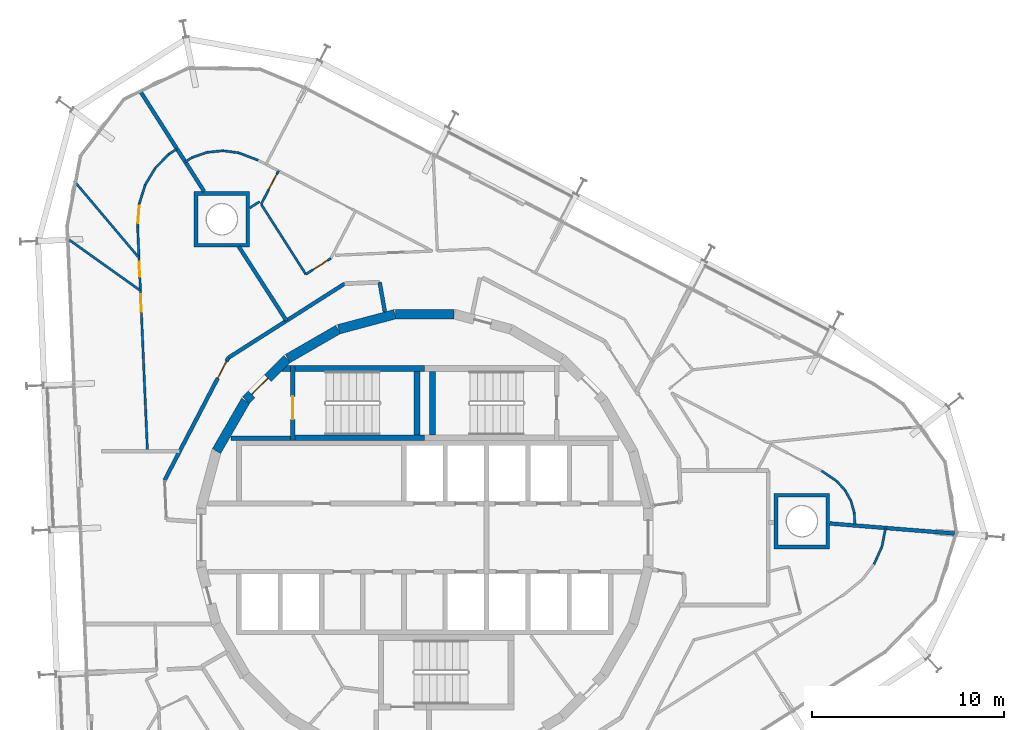
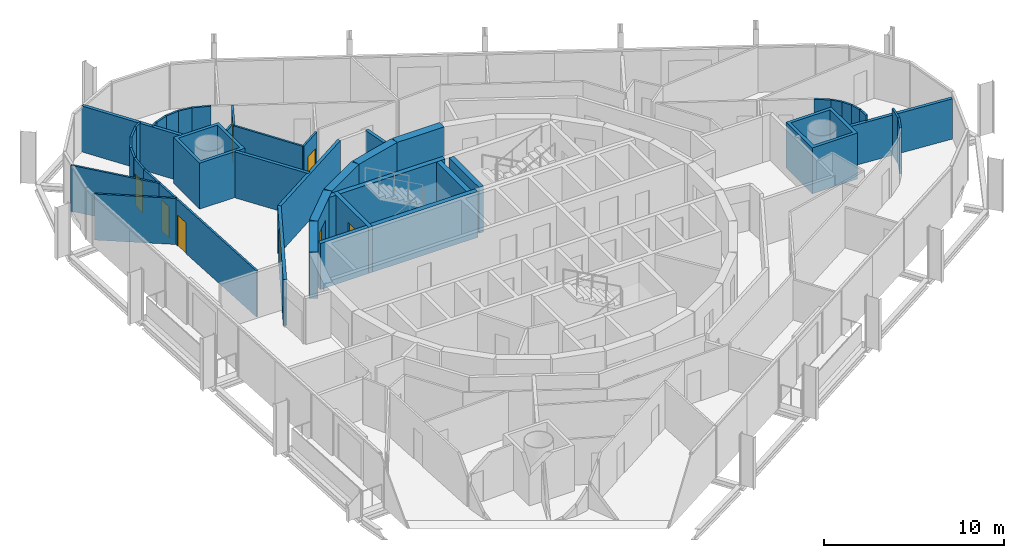
# One storey, part 15 of 18: 44 walls, 8 doors, 8 openings.
"""IFC4 building model written with IfcOpenShell, lengths in metres."""

from ifc_helpers import new_model, si_unit, direction, frame, frame_2d, origin, place, context, subcontext, project, spatial, polyline, rectangle, outline, extrude, material, layer, layer_set, type_object, element, fill, save


model = new_model("IFC4")

# Units and contexts
model_context = context("Model", 3, precision=1e-05, world=origin(), true_north=direction((0.0, 1.0)))
body_context = subcontext(model_context, "Body", "Model", "MODEL_VIEW")
ifc_project = project(units=[si_unit("LENGTHUNIT", "METRE"), si_unit("AREAUNIT", "SQUARE_METRE"), si_unit("VOLUMEUNIT", "CUBIC_METRE"), si_unit("PLANEANGLEUNIT", "RADIAN"), si_unit("MASSUNIT", "GRAM", prefix="KILO")], contexts=[model_context])

# Site, building, storey
site_placement = place(None, origin())
site = spatial("IfcSite", under=ifc_project, at=site_placement, CompositionType="ELEMENT")
building_placement = place(site_placement, origin())
building = spatial("IfcBuilding", under=site, at=building_placement, Name="Spindle Arch Residences", CompositionType="ELEMENT")
storey_placement = place(building_placement, frame((0.0, 0.0, 251.199951171875)))
storey = spatial("IfcBuildingStorey", under=building, at=storey_placement, Name="L64", CompositionType="ELEMENT", Elevation=251.199951171875)

# Walls
ifc_material_1 = material(Name="Concrete C50/60", Category="concrete")
ifc_layer_1 = layer(ifc_material_1, 0.5)
ifc_layer_set_1 = layer_set([ifc_layer_1], Name="Core outline wall 500")
wall_type_1 = type_object("IfcWallType", Name="Core outline wall 500", PredefinedType="SHEAR", material=ifc_layer_set_1)
for number, where, z_axis, x_axis, name in (
    (1, (1.516357421875, 11.647216796875, 0.0), (0.0, 0.0, 1.0), (-1.0, 0.0, 0.0), "Core outline wall 12"),
    (2, (-1.5498046875, 11.642822265625, 0.0), (0.0, 0.0, 1.0), (-0.965948410781, -0.258734743916, 0.0), "Core outline wall 13"),
    (3, (-4.510498046875, 10.84521484375, 0.0), (0.0, 0.0, 1.0), (-0.865975092491, -0.500087131594, 0.0), "Core outline wall 14"),
):
    element("IfcWall", number, at=place(storey_placement, frame(where, z_axis=z_axis, x_axis=x_axis)), inside=storey, type_object=wall_type_1, Name=name, PredefinedType="SHEAR", context=body_context, shape_type="SweptSolid", body=[
        extrude(rectangle(XDim=3.03271484375, YDim=0.5, at=frame_2d((1.516357421875, 0.0))), origin(), (0.0, 0.0, 1.0), 3.1201171875),
    ])

# Wall, opening, door
wall_1_placement = place(storey_placement, frame((-7.163818359375, 9.30810546875, 0.0), z_axis=(0.0, 0.0, 1.0), x_axis=(-0.707106781187, -0.707106781187, 0.0)))
wall_1 = element("IfcWall", 4, at=wall_1_placement, inside=storey, type_object=wall_type_1, Name="Core outline wall 15", PredefinedType="SHEAR", context=body_context, shape_type="SweptSolid", body=[
    extrude(rectangle(XDim=3.032470703125, YDim=0.5, at=frame_2d((1.51611328125, 0.0))), origin(), (0.0, 0.0, 1.0), 3.1201171875),
])
opening_1_placement = place(wall_1_placement, frame((1.416259765625, 0.0, 0.0)))
opening_1 = element("IfcOpeningElement", 5, at=opening_1_placement, cuts=wall_1, Name="Opening R6C1-AD02", PredefinedType="OPENING", context=body_context, shape_type="SweptSolid", body=[
    extrude(rectangle(XDim=1.199951171875, YDim=2.10009765625, at=frame_2d((0.60009765625, 1.050048828125))), frame((0.0, 0.260009765625, 0.0), z_axis=(0.0, -1.0, 0.0), x_axis=(1.0, 0.0, 0.0)), (0.0, 0.0, 1.0), 0.52001953125),
])
ifc_material_2 = material(Name="Steel, fire-resisting door", Category="steel")
door_type_1 = type_object("IfcDoorType", Name="Stair airlock door 1200x2100", OperationType="SINGLE_SWING_LEFT", PredefinedType="DOOR", material=ifc_material_2)
door_1_placement = place(opening_1_placement, origin())
door_1 = element("IfcDoor", 6, at=door_1_placement, inside=storey, type_object=door_type_1, Name="Stair airlock door R6C1-AD02", OperationType="SINGLE_SWING_RIGHT", OverallHeight=2.10009765625, OverallWidth=1.199951171875, PredefinedType="DOOR", context=body_context, shape_type="SweptSolid", body=[
    extrude(rectangle(XDim=1.199951171875, YDim=2.10009765625, at=frame_2d((0.60009765625, 1.050048828125))), frame((0.0, 0.02490234375, 0.0), z_axis=(0.0, -1.0, 0.0), x_axis=(1.0, 0.0, 0.0)), (0.0, 0.0, 1.0), 0.050048828125),
])
fill(opening_1, door_1)

# Walls
wall_2_placement = place(storey_placement, frame((-9.32861328125, 7.13671875, 0.0), z_axis=(0.0, 0.0, 1.0), x_axis=(-0.500087131594, -0.865975092491, 0.0)))
element("IfcWall", 7, at=wall_2_placement, inside=storey, type_object=wall_type_1, Name="Core outline wall 16", PredefinedType="SHEAR", context=body_context, shape_type="SweptSolid", body=[
    extrude(rectangle(XDim=3.03271484375, YDim=0.5, at=frame_2d((1.516357421875, 0.0))), origin(), (0.0, 0.0, 1.0), 3.1201171875),
])
ifc_material_3 = material(Name="Calcium silicate block, plastered")
ifc_layer_2 = layer(ifc_material_3, 0.199951171875)
ifc_layer_set_2 = layer_set([ifc_layer_2], Name="Corridor wall 200")
wall_type_2 = type_object("IfcWallType", Name="Corridor wall 200", PredefinedType="STANDARD", material=ifc_layer_set_2)
wall_3_placement = place(storey_placement, frame((-2.07373046875, 11.76123046875, 0.0), z_axis=(0.0, 0.0, 1.0), x_axis=(-0.173679082312, 0.984802303189, 0.0)))
element("IfcWall", 8, at=wall_3_placement, inside=storey, type_object=wall_type_2, Name="Corridor wall R6C1-W010", PredefinedType="STANDARD", context=body_context, shape_type="SweptSolid", body=[
    extrude(rectangle(XDim=1.572998046875, YDim=0.199951171875, at=frame_2d((0.78662109375, 0.0))), origin(), (0.0, 0.0, 1.0), 3.1201171875),
])
wall_4_placement = place(storey_placement, frame((-4.171630859375, 13.230712890625, 0.0), z_axis=(0.0, 0.0, 1.0), x_axis=(-0.843388394728, -0.537304397561, 0.0)))
element("IfcWall", 9, at=wall_4_placement, inside=storey, type_object=wall_type_2, Name="Corridor wall R6C1-W012", PredefinedType="STANDARD", context=body_context, shape_type="SweptSolid", body=[
    extrude(rectangle(XDim=7.180908203125, YDim=0.199951171875, at=frame_2d((3.59033203125, 0.0))), origin(), (0.0, 0.0, 1.0), 3.1201171875),
])
ifc_material_4 = material(Name="Plasterboard on steel studs", Category="steel")
ifc_layer_3 = layer(ifc_material_4, 0.1201171875)
ifc_layer_set_3 = layer_set([ifc_layer_3], Name="Flat partition 120")
wall_type_3 = type_object("IfcWallType", Name="Flat partition 120", PredefinedType="PARTITIONING", material=ifc_layer_set_3)
wall_5_placement = place(storey_placement, frame((20.67431640625, 3.4814453125, 0.0), z_axis=(0.0, 0.0, 1.0), x_axis=(0.827420148173, -0.56158338508, 0.0)))
element("IfcWall", 10, at=wall_5_placement, inside=storey, type_object=wall_type_3, Name="Flat partition R6C1-W047", PredefinedType="PARTITIONING", context=body_context, shape_type="SweptSolid", body=[
    extrude(rectangle(XDim=0.94677734375, YDim=0.1201171875, at=frame_2d((0.473388671875, 0.0))), origin(), (0.0, 0.0, 1.0), 3.1201171875),
])
for number, where, z_axis, x_axis, name in (
    (11, (21.457763671875, 2.94970703125, 0.0), (0.0, 0.0, 1.0), (0.675621263191, -0.737248878415, 0.0), "Flat partition R6C1-W048"),
    (12, (21.891357421875, 2.4765625, 0.0), (0.0, 0.0, 1.0), (0.487224522605, -0.87327673997, 0.0), "Flat partition R6C1-W049"),
):
    element("IfcWall", number, at=place(storey_placement, frame(where, z_axis=z_axis, x_axis=x_axis)), inside=storey, type_object=wall_type_3, Name=name, PredefinedType="PARTITIONING", context=body_context, shape_type="SweptSolid", body=[
        extrude(rectangle(XDim=0.641845703125, YDim=0.1201171875, at=frame_2d((0.32080078125, 0.0))), origin(), (0.0, 0.0, 1.0), 3.1201171875),
    ])
wall_6_placement = place(storey_placement, frame((22.2041015625, 1.916015625, 0.0), z_axis=(0.0, 0.0, 1.0), x_axis=(0.273013196411, -0.962010288191, 0.0)))
element("IfcWall", 13, at=wall_6_placement, inside=storey, type_object=wall_type_3, Name="Flat partition R6C1-W050", PredefinedType="PARTITIONING", context=body_context, shape_type="SweptSolid", body=[
    extrude(rectangle(XDim=0.64208984375, YDim=0.1201171875, at=frame_2d((0.321044921875, 0.0))), origin(), (0.0, 0.0, 1.0), 3.1201171875),
])
wall_7_placement = place(storey_placement, frame((22.37939453125, 1.29833984375, 0.0), z_axis=(0.0, 0.0, 1.0), x_axis=(0.043354705242, -0.999059742725, 0.0)))
element("IfcWall", 14, at=wall_7_placement, inside=storey, type_object=wall_type_3, Name="Flat partition R6C1-W051", PredefinedType="PARTITIONING", context=body_context, shape_type="SweptSolid", body=[
    extrude(rectangle(XDim=0.641845703125, YDim=0.1201171875, at=frame_2d((0.32080078125, 0.0))), origin(), (0.0, 0.0, 1.0), 3.1201171875),
])

# Wall, opening, door
wall_8_placement = place(storey_placement, frame((-4.88818359375, 14.552734375, 0.0), z_axis=(0.0, 0.0, 1.0), x_axis=(-0.843349608892, -0.537365273517, 0.0)))
wall_8 = element("IfcWall", 15, at=wall_8_placement, inside=storey, type_object=wall_type_3, Name="Flat partition R6C1-W060", PredefinedType="PARTITIONING", context=body_context, shape_type="SweptSolid", body=[
    extrude(rectangle(XDim=1.5478515625, YDim=0.1201171875, at=frame_2d((0.77392578125, 0.0))), origin(), (0.0, 0.0, 1.0), 3.1201171875),
])
opening_2_placement = place(wall_8_placement, frame((0.199951171875, 0.0, 0.0)))
opening_2 = element("IfcOpeningElement", 16, at=opening_2_placement, cuts=wall_8, Name="Opening R6C1-ID08", PredefinedType="OPENING", context=body_context, shape_type="SweptSolid", body=[
    extrude(rectangle(XDim=0.89990234375, YDim=2.10009765625, at=frame_2d((0.449951171875, 1.050048828125))), frame((0.0, 0.070068359375, 0.0), z_axis=(0.0, -1.0, 0.0), x_axis=(1.0, 0.0, 0.0)), (0.0, 0.0, 1.0), 0.14013671875),
])
ifc_material_5 = material(Name="Timber door set", Category="wood")
door_type_2 = type_object("IfcDoorType", Name="Room door 900x2100", OperationType="NOTDEFINED", PredefinedType="DOOR", material=ifc_material_5)
door_2_placement = place(opening_2_placement, origin())
door_2 = element("IfcDoor", 17, at=door_2_placement, inside=storey, type_object=door_type_2, Name="Room door R6C1-ID08", OperationType="SINGLE_SWING_RIGHT", OverallHeight=2.10009765625, OverallWidth=0.89990234375, PredefinedType="DOOR", context=body_context, shape_type="SweptSolid", body=[
    extrude(rectangle(XDim=0.89990234375, YDim=2.10009765625, at=frame_2d((0.449951171875, 1.050048828125))), frame((0.0, 0.02490234375, 0.0), z_axis=(0.0, -1.0, 0.0), x_axis=(1.0, 0.0, 0.0)), (0.0, 0.0, 1.0), 0.050048828125),
])
fill(opening_2, door_2)

# Walls
wall_9_placement = place(storey_placement, frame((-6.193603515625, 13.720947265625, 0.0), z_axis=(0.0, 0.0, 1.0), x_axis=(-0.537316807294, 0.843380488629, 0.0)))
element("IfcWall", 18, at=wall_9_placement, inside=storey, type_object=wall_type_3, Name="Flat partition R6C1-W061", PredefinedType="PARTITIONING", context=body_context, shape_type="SweptSolid", body=[
    extrude(rectangle(XDim=4.33056640625, YDim=0.1201171875, at=frame_2d((2.165283203125, 0.0))), origin(), (0.0, 0.0, 1.0), 3.1201171875),
])
wall_10_placement = place(storey_placement, frame((-8.603515625, 17.50390625, 0.0), z_axis=(0.0, 0.0, 1.0), x_axis=(-0.843265746233, -0.537496866251, 0.0)))
element("IfcWall", 19, at=wall_10_placement, inside=storey, type_object=wall_type_3, Name="Flat partition R6C1-W062", PredefinedType="PARTITIONING", context=body_context, shape_type="SweptSolid", body=[
    extrude(rectangle(XDim=0.610107421875, YDim=0.1201171875, at=frame_2d((0.30517578125, 0.0))), origin(), (0.0, 0.0, 1.0), 3.1201171875),
])

# Wall, opening, door
wall_11_placement = place(storey_placement, frame((-7.6162109375, 19.1103515625, 0.0), z_axis=(0.0, 0.0, 1.0), x_axis=(-0.461764840073, -0.887002385832, 0.0)))
wall_11 = element("IfcWall", 20, at=wall_11_placement, inside=storey, type_object=wall_type_3, Name="Flat partition R6C1-W068", PredefinedType="PARTITIONING", context=body_context, shape_type="SweptSolid", body=[
    extrude(rectangle(XDim=1.958251953125, YDim=0.1201171875, at=frame_2d((0.97900390625, 0.0))), origin(), (0.0, 0.0, 1.0), 3.1201171875),
])
opening_3_placement = place(wall_11_placement, frame((0.199951171875, 0.0, 0.0)))
opening_3 = element("IfcOpeningElement", 21, at=opening_3_placement, cuts=wall_11, Name="Opening R6C1-ID11", PredefinedType="OPENING", context=body_context, shape_type="SweptSolid", body=[
    extrude(rectangle(XDim=0.89990234375, YDim=2.10009765625, at=frame_2d((0.449951171875, 1.050048828125))), frame((0.0, 0.070068359375, 0.0), z_axis=(0.0, -1.0, 0.0), x_axis=(1.0, 0.0, 0.0)), (0.0, 0.0, 1.0), 0.14013671875),
])
door_3_placement = place(opening_3_placement, origin())
door_3 = element("IfcDoor", 22, at=door_3_placement, inside=storey, type_object=door_type_2, Name="Room door R6C1-ID11", OperationType="SINGLE_SWING_RIGHT", OverallHeight=2.10009765625, OverallWidth=0.89990234375, PredefinedType="DOOR", context=body_context, shape_type="SweptSolid", body=[
    extrude(rectangle(XDim=0.89990234375, YDim=2.10009765625, at=frame_2d((0.449951171875, 1.050048828125))), frame((0.0, 0.02490234375, 0.0), z_axis=(0.0, -1.0, 0.0), x_axis=(1.0, 0.0, 0.0)), (0.0, 0.0, 1.0), 0.050048828125),
])
fill(opening_3, door_3)

# Walls
wall_12_placement = place(storey_placement, frame((-12.47314453125, 19.5791015625, 0.0), z_axis=(0.0, 0.0, 1.0), x_axis=(0.843467404643, 0.537180358264, 0.0)))
element("IfcWall", 23, at=wall_12_placement, inside=storey, type_object=wall_type_3, Name="Flat partition R6C1-W069", PredefinedType="PARTITIONING", context=body_context, shape_type="SweptSolid", body=[
    extrude(rectangle(XDim=0.41455078125, YDim=0.1201171875, at=frame_2d((0.207275390625, 0.0))), origin(), (0.0, 0.0, 1.0), 3.1201171875),
])
for number, where, z_axis, x_axis, name in (
    (24, (-12.12353515625, 19.8017578125, 0.0), (0.0, 0.0, 1.0), (0.944540495207, 0.328394964813, 0.0), "Flat partition R6C1-W070"),
    (25, (-11.340576171875, 20.073974609375, 0.0), (0.0, 0.0, 1.0), (0.994821992483, 0.101632688009, 0.0), "Flat partition R6C1-W071"),
    (26, (-10.51611328125, 20.158203125, 0.0), (0.0, 0.0, 1.0), (0.991412138518, -0.130774506685, 0.0), "Flat partition R6C1-W072"),
):
    element("IfcWall", number, at=place(storey_placement, frame(where, z_axis=z_axis, x_axis=x_axis)), inside=storey, type_object=wall_type_3, Name=name, PredefinedType="PARTITIONING", context=body_context, shape_type="SweptSolid", body=[
        extrude(rectangle(XDim=0.828857421875, YDim=0.1201171875, at=frame_2d((0.41455078125, 0.0))), origin(), (0.0, 0.0, 1.0), 3.1201171875),
    ])
wall_13_placement = place(storey_placement, frame((-9.6943359375, 20.0498046875, 0.0), z_axis=(0.0, 0.0, 1.0), x_axis=(0.934647766222, -0.35557496129, 0.0)))
element("IfcWall", 27, at=wall_13_placement, inside=storey, type_object=wall_type_3, Name="Flat partition R6C1-W073", PredefinedType="PARTITIONING", context=body_context, shape_type="SweptSolid", body=[
    extrude(rectangle(XDim=1.0869140625, YDim=0.1201171875, at=frame_2d((0.54345703125, 0.0))), origin(), (0.0, 0.0, 1.0), 3.1201171875),
])
wall_14_placement = place(storey_placement, frame((-12.903076171875, 20.253662109375, 0.0), z_axis=(0.0, 0.0, 1.0), x_axis=(-0.843404143432, -0.537279676557, 0.0)))
element("IfcWall", 28, at=wall_14_placement, inside=storey, type_object=wall_type_3, Name="Flat partition R6C1-W074", PredefinedType="PARTITIONING", context=body_context, shape_type="SweptSolid", body=[
    extrude(rectangle(XDim=0.508056640625, YDim=0.1201171875, at=frame_2d((0.25390625, 0.0))), origin(), (0.0, 0.0, 1.0), 3.1201171875),
])
for number, where, z_axis, x_axis, name in (
    (29, (-13.33154296875, 19.980712890625, 0.0), (0.0, 0.0, 1.0), (-0.69669736192, -0.717365169138, 0.0), "Flat partition R6C1-W075"),
    (30, (-14.039306640625, 19.251953125, 0.0), (0.0, 0.0, 1.0), (-0.512586118981, -0.858635819558, 0.0), "Flat partition R6C1-W076"),
    (31, (-14.56005859375, 18.379638671875, 0.0), (0.0, 0.0, 1.0), (-0.300682714382, -0.953724229152, 0.0), "Flat partition R6C1-W077"),
):
    element("IfcWall", number, at=place(storey_placement, frame(where, z_axis=z_axis, x_axis=x_axis)), inside=storey, type_object=wall_type_3, Name=name, PredefinedType="PARTITIONING", context=body_context, shape_type="SweptSolid", body=[
        extrude(rectangle(XDim=1.015869140625, YDim=0.1201171875, at=frame_2d((0.5078125, 0.0))), origin(), (0.0, 0.0, 1.0), 3.1201171875),
    ])

# Wall, opening, door
wall_15_placement = place(storey_placement, frame((-14.865478515625, 17.410888671875, 0.0), z_axis=(0.0, 0.0, 1.0), x_axis=(-0.072618457011, -0.997359794508, 0.0)))
wall_15 = element("IfcWall", 32, at=wall_15_placement, inside=storey, type_object=wall_type_3, Name="Flat partition R6C1-W078", PredefinedType="PARTITIONING", context=body_context, shape_type="SweptSolid", body=[
    extrude(rectangle(XDim=1.22705078125, YDim=0.1201171875, at=frame_2d((0.613525390625, 0.0))), origin(), (0.0, 0.0, 1.0), 3.1201171875),
])
opening_4_placement = place(wall_15_placement, frame((0.1201171875, 0.0, 0.0)))
opening_4 = element("IfcOpeningElement", 33, at=opening_4_placement, cuts=wall_15, Name="Opening R6C1-ID12", PredefinedType="OPENING", context=body_context, shape_type="SweptSolid", body=[
    extrude(rectangle(XDim=0.89990234375, YDim=2.10009765625, at=frame_2d((0.449951171875, 1.050048828125))), frame((0.0, 0.070068359375, 0.0), z_axis=(0.0, -1.0, 0.0), x_axis=(1.0, 0.0, 0.0)), (0.0, 0.0, 1.0), 0.14013671875),
])
door_4_placement = place(opening_4_placement, origin())
door_4 = element("IfcDoor", 34, at=door_4_placement, inside=storey, type_object=door_type_2, Name="Room door R6C1-ID12", OperationType="SINGLE_SWING_LEFT", OverallHeight=2.10009765625, OverallWidth=0.89990234375, PredefinedType="DOOR", context=body_context, shape_type="SweptSolid", body=[
    extrude(rectangle(XDim=0.89990234375, YDim=2.10009765625, at=frame_2d((0.449951171875, 1.050048828125))), frame((0.0, 0.02490234375, 0.0), z_axis=(0.0, -1.0, 0.0), x_axis=(1.0, 0.0, 0.0)), (0.0, 0.0, 1.0), 0.050048828125),
])
fill(opening_4, door_4)

# Wall, openings, doors
wall_16_placement = place(storey_placement, frame((-14.95458984375, 16.18701171875, 0.0), z_axis=(0.0, 0.0, 1.0), x_axis=(0.04360777668, -0.999048728448, 0.0)))
wall_16 = element("IfcWall", 35, at=wall_16_placement, inside=storey, type_object=wall_type_3, Name="Flat partition R6C1-W079", PredefinedType="PARTITIONING", context=body_context, shape_type="SweptSolid", body=[
    extrude(rectangle(XDim=11.6787109375, YDim=0.1201171875, at=frame_2d((5.83935546875, 0.0))), origin(), (0.0, 0.0, 1.0), 3.1201171875),
])
opening_5_placement = place(wall_16_placement, frame((1.807861328125, 0.0, 0.0)))
opening_5 = element("IfcOpeningElement", 36, at=opening_5_placement, cuts=wall_16, Name="Opening R6C1-BD03", PredefinedType="OPENING", context=body_context, shape_type="SweptSolid", body=[
    extrude(rectangle(XDim=0.800048828125, YDim=2.10009765625, at=frame_2d((0.39990234375, 1.050048828125))), frame((0.0, 0.070068359375, 0.0), z_axis=(0.0, -1.0, 0.0), x_axis=(1.0, 0.0, 0.0)), (0.0, 0.0, 1.0), 0.14013671875),
])
opening_6_placement = place(wall_16_placement, frame((3.519287109375, 0.0, 0.0)))
opening_6 = element("IfcOpeningElement", 37, at=opening_6_placement, cuts=wall_16, Name="Opening R6C1-ID13", PredefinedType="OPENING", context=body_context, shape_type="SweptSolid", body=[
    extrude(rectangle(XDim=0.89990234375, YDim=2.10009765625, at=frame_2d((0.449951171875, 1.050048828125))), frame((0.0, 0.070068359375, 0.0), z_axis=(0.0, -1.0, 0.0), x_axis=(1.0, 0.0, 0.0)), (0.0, 0.0, 1.0), 0.14013671875),
])
ifc_material_6 = material(Name="Timber door set", Category="wood")
door_type_3 = type_object("IfcDoorType", Name="Bathroom door 800x2100", OperationType="NOTDEFINED", PredefinedType="DOOR", material=ifc_material_6)
door_5_placement = place(opening_5_placement, origin())
door_5 = element("IfcDoor", 38, at=door_5_placement, inside=storey, type_object=door_type_3, Name="Bathroom door R6C1-BD03", OperationType="SINGLE_SWING_LEFT", OverallHeight=2.10009765625, OverallWidth=0.800048828125, PredefinedType="DOOR", context=body_context, shape_type="SweptSolid", body=[
    extrude(rectangle(XDim=0.800048828125, YDim=2.10009765625, at=frame_2d((0.39990234375, 1.050048828125))), frame((0.0, 0.02490234375, 0.0), z_axis=(0.0, -1.0, 0.0), x_axis=(1.0, 0.0, 0.0)), (0.0, 0.0, 1.0), 0.050048828125),
])
fill(opening_5, door_5)
door_6_placement = place(opening_6_placement, origin())
door_6 = element("IfcDoor", 39, at=door_6_placement, inside=storey, type_object=door_type_2, Name="Room door R6C1-ID13", OperationType="SINGLE_SWING_LEFT", OverallHeight=2.10009765625, OverallWidth=0.89990234375, PredefinedType="DOOR", context=body_context, shape_type="SweptSolid", body=[
    extrude(rectangle(XDim=0.89990234375, YDim=2.10009765625, at=frame_2d((0.449951171875, 1.050048828125))), frame((0.0, 0.02490234375, 0.0), z_axis=(0.0, -1.0, 0.0), x_axis=(1.0, 0.0, 0.0)), (0.0, 0.0, 1.0), 0.050048828125),
])
fill(opening_6, door_6)

# Walls
wall_17_placement = place(storey_placement, frame((-18.268798828125, 18.5888671875, 0.0), z_axis=(0.0, 0.0, 1.0), x_axis=(0.645124067673, -0.764077834588, 0.0)))
element("IfcWall", 40, at=wall_17_placement, inside=storey, type_object=wall_type_3, Name="Flat partition R6C1-W080", PredefinedType="PARTITIONING", context=body_context, shape_type="SweptSolid", body=[
    extrude(rectangle(XDim=5.245849609375, YDim=0.1201171875, at=frame_2d((2.623046875, 0.0))), origin(), (0.0, 0.0, 1.0), 3.1201171875),
])
wall_18_placement = place(storey_placement, frame((-18.529052734375, 15.521728515625, 0.0), z_axis=(0.0, 0.0, 1.0), x_axis=(0.814350646776, -0.580373176582, 0.0)))
element("IfcWall", 41, at=wall_18_placement, inside=storey, type_object=wall_type_3, Name="Flat partition R6C1-W081", PredefinedType="PARTITIONING", context=body_context, shape_type="SweptSolid", body=[
    extrude(rectangle(XDim=4.567138671875, YDim=0.1201171875, at=frame_2d((2.28369140625, 0.0))), origin(), (0.0, 0.0, 1.0), 3.1201171875),
])
wall_19_placement = place(storey_placement, frame((24.00732421875, 0.505859375, 0.0), z_axis=(0.0, 0.0, 1.0), x_axis=(-0.187878189528, -0.98219233651, 0.0)))
element("IfcWall", 42, at=wall_19_placement, inside=storey, type_object=wall_type_3, Name="Flat partition R6C1-W116", PredefinedType="PARTITIONING", context=body_context, shape_type="SweptSolid", body=[
    extrude(rectangle(XDim=0.981201171875, YDim=0.1201171875, at=frame_2d((0.49072265625, 0.0))), origin(), (0.0, 0.0, 1.0), 3.1201171875),
])
wall_20_placement = place(storey_placement, frame((23.822998046875, -0.457763671875, 0.0), z_axis=(0.0, 0.0, 1.0), x_axis=(-0.409435319137, -0.912339147161, 0.0)))
element("IfcWall", 43, at=wall_20_placement, inside=storey, type_object=wall_type_3, Name="Flat partition R6C1-W117", PredefinedType="PARTITIONING", context=body_context, shape_type="SweptSolid", body=[
    extrude(rectangle(XDim=1.01611328125, YDim=0.1201171875, at=frame_2d((0.508056640625, 0.0))), origin(), (0.0, 0.0, 1.0), 3.1201171875),
])
ifc_material_7 = material(Name="Calcium silicate block, plastered")
ifc_layer_4 = layer(ifc_material_7, 0.199951171875)
ifc_layer_set_4 = layer_set([ifc_layer_4], Name="Flat party wall 200")
wall_type_4 = type_object("IfcWallType", Name="Flat party wall 200", PredefinedType="STANDARD", material=ifc_layer_set_4)
wall_21_placement = place(storey_placement, frame((-9.68994140625, 15.1708984375, 0.0), z_axis=(0.0, 0.0, 1.0), x_axis=(0.540961372678, -0.841047438181, 0.0)))
element("IfcWall", 44, at=wall_21_placement, inside=storey, type_object=wall_type_4, Name="Flat party wall R6C1-W032", PredefinedType="STANDARD", context=body_context, shape_type="SweptSolid", body=[
    extrude(rectangle(XDim=4.6015625, YDim=0.199951171875, at=frame_2d((2.30078125, 0.0))), origin(), (0.0, 0.0, 1.0), 3.1201171875),
])
wall_22_placement = place(storey_placement, frame((-14.83740234375, 23.289794921875, 0.0), z_axis=(0.0, 0.0, 1.0), x_axis=(0.537316863221, -0.843380452998, 0.0)))
element("IfcWall", 45, at=wall_22_placement, inside=storey, type_object=wall_type_4, Name="Flat party wall R6C1-W033", PredefinedType="STANDARD", context=body_context, shape_type="SweptSolid", body=[
    extrude(rectangle(XDim=6.226806640625, YDim=0.199951171875, at=frame_2d((3.11328125, 0.0))), origin(), (0.0, 0.0, 1.0), 3.1201171875),
])
ifc_material_8 = material(Name="Calcium silicate block, plastered")
ifc_layer_5 = layer(ifc_material_8, 0.199951171875)
ifc_layer_set_5 = layer_set([ifc_layer_5], Name="Flat party wall 200 under beam 2730")
wall_type_5 = type_object("IfcWallType", Name="Flat party wall 200 under beam 2730", PredefinedType="STANDARD", material=ifc_layer_set_5)
wall_23_placement = place(storey_placement, frame((21.10009765625, 0.74072265625, 0.0), z_axis=(0.0, 0.0, 1.0), x_axis=(0.996750718609, -0.080548153006, 0.0)))
element("IfcWall", 46, at=wall_23_placement, inside=storey, type_object=wall_type_5, Name="Flat party wall R6C1-W030", PredefinedType="STANDARD", context=body_context, shape_type="SweptSolid", body=[
    extrude(rectangle(XDim=6.537841796875, YDim=0.199951171875, at=frame_2d((3.26904296875, 0.0))), origin(), (0.0, 0.0, 1.0), 2.72998046875),
])

# Wall, opening, door
ifc_material_9 = material(Name="Calcium silicate block, plastered")
ifc_layer_6 = layer(ifc_material_9, 0.199951171875)
ifc_layer_set_6 = layer_set([ifc_layer_6], Name="Lift lobby bay wall 200")
wall_type_6 = type_object("IfcWallType", Name="Lift lobby bay wall 200", PredefinedType="STANDARD", material=ifc_layer_set_6)
wall_24_placement = place(storey_placement, frame((-10.22802734375, 9.372314453125, 0.0), z_axis=(0.0, 0.0, 1.0), x_axis=(-0.461759464021, -0.887005184532, 0.0)))
wall_24 = element("IfcWall", 47, at=wall_24_placement, inside=storey, type_object=wall_type_6, Name="Lift lobby bay wall R6C1-W007", PredefinedType="STANDARD", context=body_context, shape_type="SweptSolid", body=[
    extrude(rectangle(XDim=7.18115234375, YDim=0.199951171875, at=frame_2d((3.590576171875, 0.0))), origin(), (0.0, 0.0, 1.0), 3.1201171875),
])
opening_7_placement = place(wall_24_placement, frame((0.199951171875, 0.0, 0.0)))
opening_7 = element("IfcOpeningElement", 48, at=opening_7_placement, cuts=wall_24, Name="Opening R6C1-FD03", PredefinedType="OPENING", context=body_context, shape_type="SweptSolid", body=[
    extrude(rectangle(XDim=1.0, YDim=2.10009765625, at=frame_2d((0.5, 1.050048828125))), frame((0.0, 0.10986328125, 0.0), z_axis=(0.0, -1.0, 0.0), x_axis=(1.0, 0.0, 0.0)), (0.0, 0.0, 1.0), 0.219970703125),
])
ifc_material_10 = material(Name="Timber, fire-resisting door set", Category="wood")
door_type_4 = type_object("IfcDoorType", Name="Flat entrance door 1000x2100", OperationType="NOTDEFINED", PredefinedType="DOOR", material=ifc_material_10)
door_7_placement = place(opening_7_placement, origin())
door_7 = element("IfcDoor", 49, at=door_7_placement, inside=storey, type_object=door_type_4, Name="Flat entrance door R6C1-FD03", OperationType="SINGLE_SWING_LEFT", OverallHeight=2.10009765625, OverallWidth=1.0, PredefinedType="DOOR", context=body_context, shape_type="SweptSolid", body=[
    extrude(rectangle(XDim=1.0, YDim=2.10009765625, at=frame_2d((0.5, 1.050048828125))), frame((0.0, 0.02490234375, 0.0), z_axis=(0.0, -1.0, 0.0), x_axis=(1.0, 0.0, 0.0)), (0.0, 0.0, 1.0), 0.050048828125),
])
fill(opening_7, door_7)

# Walls
ifc_material_11 = material(Name="Calcium silicate block, plastered")
ifc_layer_7 = layer(ifc_material_11, 0.199951171875)
ifc_layer_set_7 = layer_set([ifc_layer_7], Name="Mega-column casing wall 200")
wall_type_7 = type_object("IfcWallType", Name="Mega-column casing wall 200", PredefinedType="STANDARD", material=ifc_layer_set_7)
wall_25_placement = place(storey_placement, origin())
element("IfcWall", 50, at=wall_25_placement, inside=storey, type_object=wall_type_7, Name="Mega-column casing wall R6C1-WC01", PredefinedType="STANDARD", context=body_context, shape_type="SweptSolid", body=[
    extrude(outline(polyline([(21.10009765625, 2.307861328125), (21.10009765625, -0.592041015625), (18.199951171875, -0.592041015625), (18.199951171875, 2.307861328125), (21.10009765625, 2.307861328125)]), holes=[polyline([(18.39990234375, -0.39208984375), (20.89990234375, -0.39208984375), (20.89990234375, 2.10791015625), (18.39990234375, 2.10791015625), (18.39990234375, -0.39208984375)])]), origin(), (0.0, 0.0, 1.0), 3.1201171875),
])
wall_26_placement = place(storey_placement, origin())
element("IfcWall", 51, at=wall_26_placement, inside=storey, type_object=wall_type_7, Name="Mega-column casing wall R6C1-WC02", PredefinedType="STANDARD", context=body_context, shape_type="SweptSolid", body=[
    extrude(outline(polyline([(-9.117919921875, 18.038330078125), (-9.117919921875, 15.138427734375), (-12.01806640625, 15.138427734375), (-12.01806640625, 18.038330078125), (-9.117919921875, 18.038330078125)]), holes=[polyline([(-11.818115234375, 15.33837890625), (-9.318115234375, 15.33837890625), (-9.318115234375, 17.83837890625), (-11.818115234375, 17.83837890625), (-11.818115234375, 15.33837890625)])]), origin(), (0.0, 0.0, 1.0), 3.1201171875),
])
ifc_material_12 = material(Name="Concrete C40/50", Category="concrete")
ifc_layer_8 = layer(ifc_material_12, 0.25)
ifc_layer_set_8 = layer_set([ifc_layer_8], Name="Stair airlock wall 250")
wall_type_8 = type_object("IfcWallType", Name="Stair airlock wall 250", PredefinedType="SHEAR", material=ifc_layer_set_8)
wall_27_placement = place(storey_placement, frame((-7.0, 5.175048828125, 0.0), z_axis=(0.0, 0.0, 1.0), x_axis=(-1.0, 0.0, 0.0)))
element("IfcWall", 52, at=wall_27_placement, inside=storey, type_object=wall_type_8, Name="Stair ST-2 airlock wall S", PredefinedType="SHEAR", context=body_context, shape_type="SweptSolid", body=[
    extrude(rectangle(XDim=3.10009765625, YDim=0.25, at=frame_2d((1.550048828125, 0.0))), origin(), (0.0, 0.0, 1.0), 3.1201171875),
])
ifc_material_13 = material(Name="Concrete C40/50", Category="concrete")
wall_type_9 = type_object("IfcWallType", Name="Stair airlock wall profile", PredefinedType="SHEAR", material=ifc_material_13)
wall_28_placement = place(storey_placement, origin())
element("IfcWall", 53, at=wall_28_placement, inside=storey, type_object=wall_type_9, Name="Stair ST-2 airlock wall N", PredefinedType="SHEAR", context=body_context, shape_type="SweptSolid", body=[
    extrude(outline(polyline([(-7.148193359375, 8.969970703125), (-7.0, 8.969970703125), (-7.0, 8.669921875), (-7.4482421875, 8.669921875), (-7.148193359375, 8.969970703125)])), origin(), (0.0, 0.0, 1.0), 3.1201171875),
])

# Wall, opening, door
ifc_material_14 = material(Name="Concrete C50/60", Category="concrete")
ifc_layer_9 = layer(ifc_material_14, 0.25)
ifc_layer_set_9 = layer_set([ifc_layer_9], Name="Stair enclosure wall 250")
wall_type_10 = type_object("IfcWallType", Name="Stair enclosure wall 250", PredefinedType="SHEAR", material=ifc_layer_set_9)
wall_29_placement = place(storey_placement, frame((-6.875, 8.969970703125, 0.0), z_axis=(0.0, 0.0, 1.0), x_axis=(0.0, -1.0, 0.0)))
wall_29 = element("IfcWall", 54, at=wall_29_placement, inside=storey, type_object=wall_type_10, Name="Stair ST-2 door wall", PredefinedType="SHEAR", context=body_context, shape_type="SweptSolid", body=[
    extrude(rectangle(XDim=3.919921875, YDim=0.25, at=frame_2d((1.9599609375, 0.0))), origin(), (0.0, 0.0, 1.0), 3.1201171875),
])
opening_8_placement = place(wall_29_placement, frame((1.610107421875, 0.0, 0.0)))
opening_8 = element("IfcOpeningElement", 55, at=opening_8_placement, cuts=wall_29, Name="Opening R6C1-SD02", PredefinedType="OPENING", context=body_context, shape_type="SweptSolid", body=[
    extrude(rectangle(XDim=1.199951171875, YDim=2.10009765625, at=frame_2d((0.60009765625, 1.050048828125))), frame((0.0, 0.135009765625, 0.0), z_axis=(0.0, -1.0, 0.0), x_axis=(1.0, 0.0, 0.0)), (0.0, 0.0, 1.0), 0.27001953125),
])
ifc_material_15 = material(Name="Steel, fire-resisting door", Category="steel")
door_type_5 = type_object("IfcDoorType", Name="Stair door 1200x2100", OperationType="SINGLE_SWING_RIGHT", PredefinedType="DOOR", material=ifc_material_15)
door_8_placement = place(opening_8_placement, origin())
door_8 = element("IfcDoor", 56, at=door_8_placement, inside=storey, type_object=door_type_5, Name="Stair door R6C1-SD02", OperationType="SINGLE_SWING_LEFT", OverallHeight=2.10009765625, OverallWidth=1.199951171875, PredefinedType="DOOR", context=body_context, shape_type="SweptSolid", body=[
    extrude(rectangle(XDim=1.199951171875, YDim=2.10009765625, at=frame_2d((0.60009765625, 1.050048828125))), frame((0.0, 0.02490234375, 0.0), z_axis=(0.0, -1.0, 0.0), x_axis=(1.0, 0.0, 0.0)), (0.0, 0.0, 1.0), 0.050048828125),
])
fill(opening_8, door_8)

# Walls
ifc_material_16 = material(Name="Concrete C50/60", Category="concrete")
ifc_layer_10 = layer(ifc_material_16, 0.300048828125)
ifc_layer_set_10 = layer_set([ifc_layer_10], Name="Stair enclosure wall 300")
wall_type_11 = type_object("IfcWallType", Name="Stair enclosure wall 300", PredefinedType="SHEAR", material=ifc_layer_set_10)
wall_30_placement = place(storey_placement, frame((0.39990234375, 5.35009765625, 0.0), z_axis=(0.0, 0.0, 1.0), x_axis=(0.0, 1.0, 0.0)))
element("IfcWall", 57, at=wall_30_placement, inside=storey, type_object=wall_type_11, Name="Stair ST-1 enclosure wall F", PredefinedType="SHEAR", context=body_context, shape_type="SweptSolid", body=[
    extrude(rectangle(XDim=3.31982421875, YDim=0.300048828125, at=frame_2d((1.659912109375, 0.0))), origin(), (0.0, 0.0, 1.0), 3.1201171875),
])
for number, where, z_axis, x_axis, name in (
    (58, (-6.75, 5.199951171875, 0.0), (0.0, 0.0, 1.0), (1.0, 0.0, 0.0), "Stair ST-2 enclosure wall S"),
    (59, (-6.75, 8.820068359375, 0.0), (0.0, 0.0, 1.0), (1.0, 0.0, 0.0), "Stair ST-2 enclosure wall N"),
):
    element("IfcWall", number, at=place(storey_placement, frame(where, z_axis=z_axis, x_axis=x_axis)), inside=storey, type_object=wall_type_11, Name=name, PredefinedType="SHEAR", context=body_context, shape_type="SweptSolid", body=[
        extrude(rectangle(XDim=6.75, YDim=0.300048828125, at=frame_2d((3.375, 0.0))), origin(), (0.0, 0.0, 1.0), 3.1201171875),
    ])
wall_31_placement = place(storey_placement, frame((-0.39990234375, 5.35009765625, 0.0), z_axis=(0.0, 0.0, 1.0), x_axis=(0.0, 1.0, 0.0)))
element("IfcWall", 60, at=wall_31_placement, inside=storey, type_object=wall_type_11, Name="Stair ST-2 enclosure wall F", PredefinedType="SHEAR", context=body_context, shape_type="SweptSolid", body=[
    extrude(rectangle(XDim=3.31982421875, YDim=0.300048828125, at=frame_2d((1.659912109375, 0.0))), origin(), (0.0, 0.0, 1.0), 3.1201171875),
])

save(model, "model.ifc")
